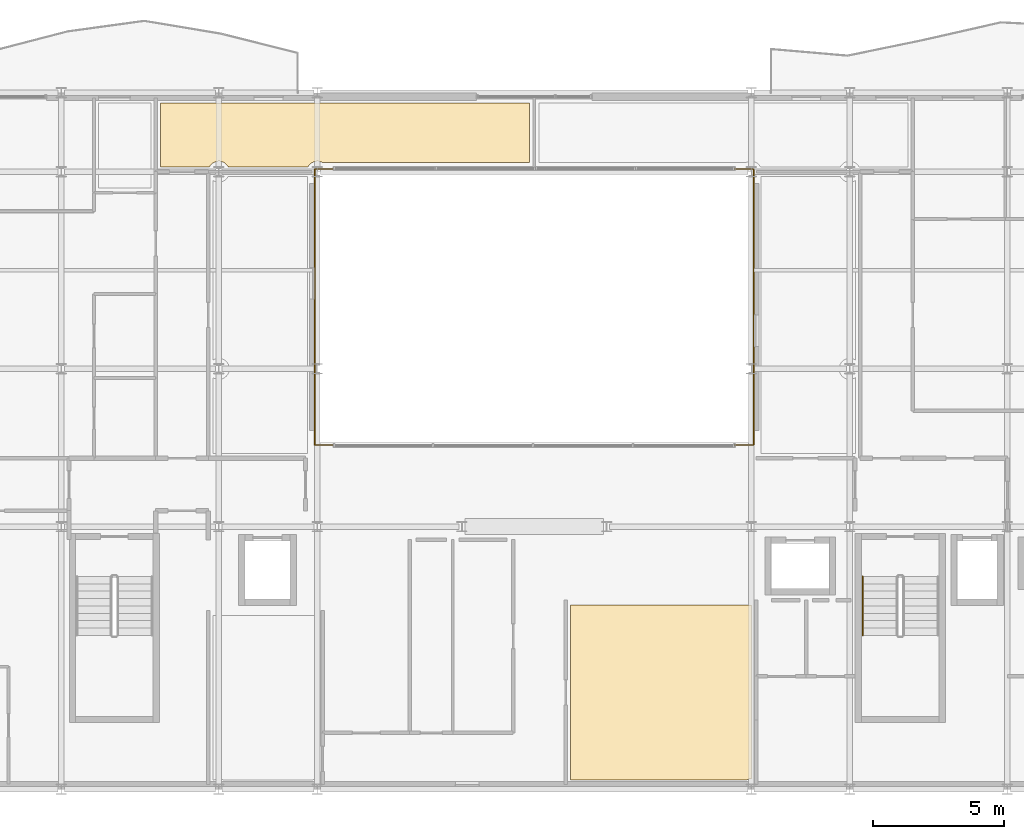
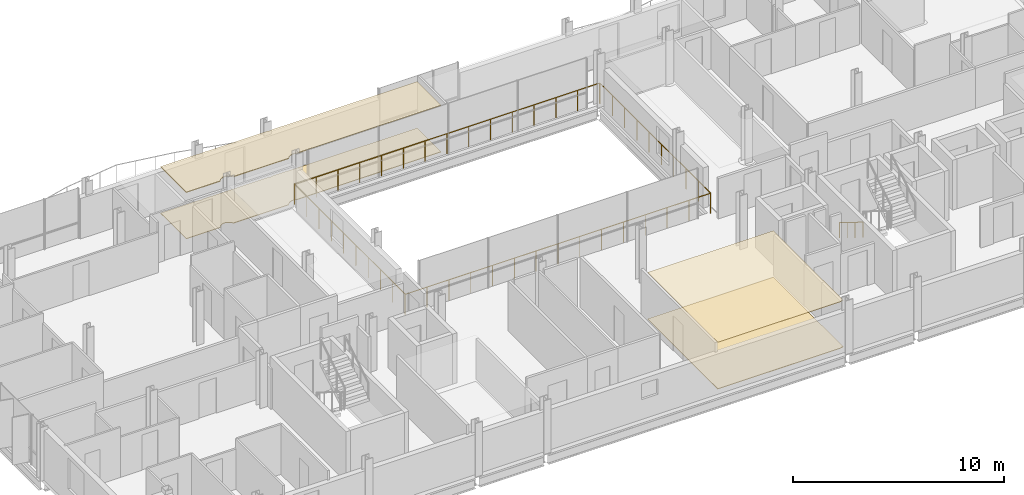
# One storey, part 36 of 38: 4 coverings, 3 railings.
"""IFC4 building model written with IfcOpenShell, lengths in metres."""

import ifcopenshell
import ifcopenshell.guid

model = None  # the IFC model being written
_history = None  # IfcOwnerHistory: only IFC2X3 demands one
_inside = {}  # id of a spatial element -> (the spatial element, [elements in it])
_under = {}  # id of a project, library or spatial element -> (it, [spatial elements below it])
_declared = {}  # id of a project -> (the project, [libraries it declares])
_typed = {}  # id of a type object -> (the type object, [elements of that type])
_made_of = {}  # id of a material, layer set ... -> (it, [elements and type objects made of it])


def new_model(schema):
    """Start an empty IFC model of exactly this schema.

    Asked for "IFC4X3", IfcOpenShell would pick the latest addendum, in which some entities
    have other attributes; the version numbers below select the first issue.
    IFC2X3 requires an IfcOwnerHistory on every rooted entity: one is made here for all.
    """
    global model, _history
    if schema == "IFC4X3":
        model = ifcopenshell.file(schema_version=(4, 3, 0, 0))
    else:
        model = ifcopenshell.file(schema=schema)
    _inside.clear()
    _under.clear()
    _declared.clear()
    _typed.clear()
    _made_of.clear()
    _history = None
    if model.schema == "IFC2X3":
        org = make("IfcOrganization", Name="unknown")
        user = make(
            "IfcPersonAndOrganization",
            ThePerson=make("IfcPerson", FamilyName="unknown"),
            TheOrganization=org,
        )
        app = make(
            "IfcApplication",
            ApplicationDeveloper=org,
            Version="unknown",
            ApplicationFullName="unknown",
            ApplicationIdentifier="unknown",
        )
        _history = make(
            "IfcOwnerHistory",
            OwningUser=user,
            OwningApplication=app,
            ChangeAction="ADDED",
            CreationDate=0,
        )
    return model


def make(cls, **values):
    """One entity of the class cls with the attributes given. An attribute that is None is left unset."""
    return model.create_entity(
        cls, **{name: value for name, value in values.items() if value is not None}
    )


def rooted(cls, **values):
    """An entity with a GlobalId (a new one), such as an element, a storey or a relation."""
    return make(cls, GlobalId=ifcopenshell.guid.new(), OwnerHistory=_history, **values)


def si_unit(unit_type, name, prefix=None):
    """IfcSIUnit, for example si_unit("LENGTHUNIT", "METRE", prefix="MILLI")."""
    return make("IfcSIUnit", UnitType=unit_type, Prefix=prefix, Name=name)


def assignment(units):
    """IfcUnitAssignment: the units of a project."""
    return None if units is None else make("IfcUnitAssignment", Units=units)


def point(xyz):
    """IfcCartesianPoint."""
    return None if xyz is None else make("IfcCartesianPoint", Coordinates=xyz)


def direction(xyz):
    """IfcDirection."""
    return None if xyz is None else make("IfcDirection", DirectionRatios=xyz)


def frame(location, z_axis=None, x_axis=None):
    """IfcAxis2Placement3D, a coordinate frame: its origin and axes. An axis left out is left unset."""
    return make(
        "IfcAxis2Placement3D",
        Location=point(location),
        Axis=direction(z_axis),
        RefDirection=direction(x_axis),
    )


def frame_2d(location, x_axis=None):
    """IfcAxis2Placement2D, a coordinate frame in the plane: its origin and x axis."""
    return make(
        "IfcAxis2Placement2D", Location=point(location), RefDirection=direction(x_axis)
    )


def origin():
    """The frame at (0, 0, 0) with its axes left unset."""
    return frame((0.0, 0.0, 0.0))


def origin_2d():
    """The frame at (0, 0) in the plane with its x axis left unset."""
    return frame_2d((0.0, 0.0))


def place(relative_to, where):
    """IfcLocalPlacement: puts the frame where relative to a parent placement (None: the world)."""
    return make(
        "IfcLocalPlacement", PlacementRelTo=relative_to, RelativePlacement=where
    )


def context(
    kind, dimensions, precision=None, world=None, true_north=None, identifier=None
):
    """IfcGeometricRepresentationContext, for example the 3D "Model" context."""
    return make(
        "IfcGeometricRepresentationContext",
        ContextIdentifier=identifier,
        ContextType=kind,
        CoordinateSpaceDimension=dimensions,
        Precision=precision,
        WorldCoordinateSystem=world,
        TrueNorth=true_north,
    )


def subcontext(parent, identifier, kind, view, scale=None):
    """IfcGeometricRepresentationSubContext, for example "Body" below "Model"."""
    return make(
        "IfcGeometricRepresentationSubContext",
        ContextIdentifier=identifier,
        ContextType=kind,
        ParentContext=parent,
        TargetScale=scale,
        TargetView=view,
    )


def project(units=None, contexts=None):
    """IfcProject with its units and contexts."""
    return rooted(
        "IfcProject",
        Name="project",
        RepresentationContexts=contexts,
        UnitsInContext=assignment(units),
    )


def spatial(cls, under=None, at=None, **own):
    """A site, building, storey or space (cls), placed at a placement, below another one or the project."""
    s = rooted(cls, ObjectPlacement=at, **own)
    if under is not None:
        _under.setdefault(under.id(), (under, []))[1].append(s)
    return s


def polyline(points):
    """IfcPolyline through the points."""
    return make("IfcPolyline", Points=[point(p) for p in points])


def profile(cls, at=None, kind="AREA", **sizes):
    """A parametric profile (cls). Its sizes go by their IFC names, for example OverallWidth=200.0."""
    return make(cls, ProfileType=kind, Position=at, **sizes)


def circle(**sizes):
    """IfcCircleProfileDef."""
    return profile("IfcCircleProfileDef", **sizes)


def outline(outer, holes=None, kind="AREA"):
    """IfcArbitraryClosedProfileDef: a profile drawn as a closed curve; with holes, ...WithVoids."""
    if holes is None:
        return make("IfcArbitraryClosedProfileDef", ProfileType=kind, OuterCurve=outer)
    return make(
        "IfcArbitraryProfileDefWithVoids",
        ProfileType=kind,
        OuterCurve=outer,
        InnerCurves=holes,
    )


def extrude(swept, where, along, depth):
    """IfcExtrudedAreaSolid: the profile swept, set in the frame where, extruded along a direction by depth."""
    return make(
        "IfcExtrudedAreaSolid",
        SweptArea=swept,
        Position=where,
        ExtrudedDirection=direction(along),
        Depth=depth,
    )


def shape(context_of_items, identifier, shape_type, items):
    """IfcShapeRepresentation: the items that make up one representation, for example the "Body"."""
    return make(
        "IfcShapeRepresentation",
        ContextOfItems=context_of_items,
        RepresentationIdentifier=identifier,
        RepresentationType=shape_type,
        Items=items,
    )


def material(Name=None, Category=None):
    """IfcMaterial."""
    return make("IfcMaterial", Name=Name, Category=Category)


def layer(
    of_material, thickness, ventilated=None, Name=None, Category=None, Priority=None
):
    """IfcMaterialLayer: one layer of a wall or slab, of a material (None: an air gap)."""
    return make(
        "IfcMaterialLayer",
        Material=of_material,
        LayerThickness=thickness,
        IsVentilated=ventilated,
        Name=Name,
        Category=Category,
        Priority=Priority,
    )


def layer_set(layers, Name=None):
    """IfcMaterialLayerSet."""
    return make("IfcMaterialLayerSet", MaterialLayers=layers, LayerSetName=Name)


def made_of(thing, what):
    """Note that an element or type object is made of a material, layer set ...; save() writes the relation."""
    if what is not None:
        _made_of.setdefault(what.id(), (what, []))[1].append(thing)
    return thing


def type_object(cls, material=None, **own):
    """A type object (cls), such as IfcWallType, which elements share."""
    return made_of(rooted(cls, **own), material)


def element(
    cls,
    number,
    at=None,
    inside=None,
    cuts=None,
    type_object=None,
    material=None,
    context=None,
    identifier="Body",
    shape_type=None,
    held_by="IfcProductDefinitionShape",
    body=None,
    shapes=None,
    **own,
):
    """One element of the class cls, such as IfcWall. Its Tag is "e" and its number.

    at: its placement. inside: the storey or other place that contains it. cuts: it is an
    opening in that element (IfcRelVoidsElement). A single representation is given by context,
    identifier, shape_type and body (its items); several are given by shapes. held_by: the class
    of the entity that holds the representations. save() writes the other relations.
    """
    e = rooted(cls, Tag="e%d" % number, ObjectPlacement=at, **own)
    if body is not None:
        shapes = [shape(context, identifier, shape_type, body)]
    if shapes is not None:
        e.Representation = make(held_by, Representations=shapes)
    if inside is not None:
        _inside.setdefault(inside.id(), (inside, []))[1].append(e)
    if cuts is not None:
        rooted(
            "IfcRelVoidsElement", RelatingBuildingElement=cuts, RelatedOpeningElement=e
        )
    if type_object is not None:
        _typed.setdefault(type_object.id(), (type_object, []))[1].append(e)
    return made_of(e, material)


def aggregate(whole, parts):
    """IfcRelAggregates: a whole, such as a stair, and the parts it consists of."""
    return rooted("IfcRelAggregates", RelatingObject=whole, RelatedObjects=parts)


def save(model, path):
    """Write the relations noted so far, then the file.

    IfcRelAggregates (storeys below a building ...), IfcRelContainedInSpatialStructure (elements
    in a storey), IfcRelDefinesByType, IfcRelAssociatesMaterial and IfcRelDeclares: one each for
    every whole, place, type object, material and project.
    """
    for whole, parts in _under.values():
        aggregate(whole, parts)
    for where, things in _inside.values():
        rooted(
            "IfcRelContainedInSpatialStructure",
            RelatedElements=things,
            RelatingStructure=where,
        )
    for kind, things in _typed.values():
        rooted("IfcRelDefinesByType", RelatedObjects=things, RelatingType=kind)
    for what, things in _made_of.values():
        rooted("IfcRelAssociatesMaterial", RelatedObjects=things, RelatingMaterial=what)
    for by, libraries in _declared.values():
        rooted("IfcRelDeclares", RelatingContext=by, RelatedDefinitions=libraries)
    model.write(path)


model = new_model("IFC4")

# Units and contexts
model_context = context("Model", 3, precision=1e-05, world=origin(), true_north=direction((0.0, 1.0)))
body_context = subcontext(model_context, "Body", "Model", "MODEL_VIEW")
ifc_project = project(units=[si_unit("LENGTHUNIT", "METRE"), si_unit("AREAUNIT", "SQUARE_METRE"), si_unit("VOLUMEUNIT", "CUBIC_METRE"), si_unit("PLANEANGLEUNIT", "RADIAN"), si_unit("MASSUNIT", "GRAM", prefix="KILO")], contexts=[model_context])

# Site, building, storey
site_placement = place(None, origin())
site = spatial("IfcSite", under=ifc_project, at=site_placement, CompositionType="ELEMENT")
building_placement = place(site_placement, origin())
building = spatial("IfcBuilding", under=site, at=building_placement, Name="Brevholm Reach", CompositionType="ELEMENT")
storey_placement = place(building_placement, frame((0.0, 0.0, 186.300048828125)))
storey = spatial("IfcBuildingStorey", under=building, at=storey_placement, Name="L56", CompositionType="ELEMENT", Elevation=186.300048828125)

# Coverings
ifc_material_1 = material(Name="Perforated Mineral-Fibre Class-A Acoustic Suspended Ceiling", Category="gypsum")
ifc_layer_1 = layer(ifc_material_1, 0.044921875)
ifc_layer_set_1 = layer_set([ifc_layer_1], Name="Perforated Mineral-Fibre Class-A Acoustic Suspended Ceiling")
covering_type_1 = type_object("IfcCoveringType", Name="COV-CLG-AC", PredefinedType="CEILING", material=ifc_layer_set_1)
covering_1_placement = place(storey_placement, frame((0.0, 0.0, 2.675048828125)))
element("IfcCovering", 1, at=covering_1_placement, inside=storey, type_object=covering_type_1, Name="L56 Suspended Ceiling L56-58", PredefinedType="CEILING", context=body_context, shape_type="SweptSolid", body=[
    extrude(outline(polyline([(17.876220703125, 26.1201171875), (17.8837890625, 26.1171875), (17.922119140625, 26.107666015625), (17.960693359375, 26.101806640625), (18.0, 26.10009765625), (18.039306640625, 26.101806640625), (18.077880859375, 26.107666015625), (18.1162109375, 26.1171875), (18.123779296875, 26.1201171875), (21.626220703125, 26.1201171875), (21.6337890625, 26.1171875), (21.672119140625, 26.107666015625), (21.710693359375, 26.101806640625), (21.75, 26.10009765625), (21.789306640625, 26.101806640625), (21.827880859375, 26.107666015625), (21.8662109375, 26.1171875), (21.873779296875, 26.1201171875), (29.820068359375, 26.1201171875), (29.820068359375, 23.860107421875), (21.92333984375, 23.860107421875), (21.903076171875, 23.86962890625), (21.8662109375, 23.8828125), (21.827880859375, 23.892333984375), (21.789306640625, 23.898193359375), (21.75, 23.89990234375), (21.710693359375, 23.898193359375), (21.672119140625, 23.892333984375), (21.6337890625, 23.8828125), (21.596923828125, 23.86962890625), (21.561279296875, 23.852783203125), (21.52783203125, 23.83251953125), (21.49609375, 23.80908203125), (21.46728515625, 23.78271484375), (21.44091796875, 23.75390625), (21.41748046875, 23.72216796875), (21.397216796875, 23.688720703125), (21.39501953125, 23.68408203125), (18.35498046875, 23.68408203125), (18.352783203125, 23.688720703125), (18.33251953125, 23.72216796875), (18.30908203125, 23.75390625), (18.28271484375, 23.78271484375), (18.25390625, 23.80908203125), (18.22216796875, 23.83251953125), (18.188720703125, 23.852783203125), (18.153076171875, 23.86962890625), (18.1162109375, 23.8828125), (18.077880859375, 23.892333984375), (18.039306640625, 23.898193359375), (18.0, 23.89990234375), (17.960693359375, 23.898193359375), (17.922119140625, 23.892333984375), (17.8837890625, 23.8828125), (17.846923828125, 23.86962890625), (17.811279296875, 23.852783203125), (17.77783203125, 23.83251953125), (17.74609375, 23.80908203125), (17.71728515625, 23.78271484375), (17.69091796875, 23.75390625), (17.66748046875, 23.72216796875), (17.647216796875, 23.688720703125), (17.64501953125, 23.68408203125), (15.783935546875, 23.68408203125), (15.783935546875, 26.1201171875), (17.876220703125, 26.1201171875)])), origin(), (0.0, 0.0, 1.0), 0.044921875),
])
ifc_material_2 = material(Name="Moisture-Resistant Skimmed Gypsum Plasterboard Ceiling", Category="gypsum")
ifc_layer_2 = layer(ifc_material_2, 0.030029296875)
ifc_layer_set_2 = layer_set([ifc_layer_2], Name="Moisture-Resistant Skimmed Gypsum Plasterboard Ceiling")
covering_type_2 = type_object("IfcCoveringType", Name="COV-CLG-GYP", PredefinedType="CEILING", material=ifc_layer_set_2)
covering_2_placement = place(storey_placement, frame((0.0, 0.0, 2.68994140625)))
element("IfcCovering", 2, at=covering_2_placement, inside=storey, type_object=covering_type_2, Name="L56 Suspended Ceiling L56-13", PredefinedType="CEILING", context=body_context, shape_type="SweptSolid", body=[
    extrude(outline(polyline([(38.27001953125, 7.02001953125), (38.27001953125, 0.39892578125), (38.25, 0.39990234375), (38.210693359375, 0.398193359375), (38.172119140625, 0.392333984375), (38.1337890625, 0.3828125), (38.096923828125, 0.36962890625), (38.07666015625, 0.360107421875), (31.384033203125, 0.360107421875), (31.384033203125, 7.02001953125), (38.27001953125, 7.02001953125)])), origin(), (0.0, 0.0, 1.0), 0.030029296875),
])
ifc_material_3 = material(Name="Honed Portland-Aggregate Resin Terrazzo Flooring", Category="concrete")
ifc_layer_3 = layer(ifc_material_3, 0.031982421875)
ifc_layer_set_3 = layer_set([ifc_layer_3], Name="Honed Portland-Aggregate Resin Terrazzo Flooring")
covering_type_3 = type_object("IfcCoveringType", Name="COV-FLR-TRZ", PredefinedType="FLOORING", material=ifc_layer_set_3)
covering_3_placement = place(storey_placement, origin())
element("IfcCovering", 3, at=covering_3_placement, inside=storey, type_object=covering_type_3, Name="L56 Floor Finish L56-13", PredefinedType="FLOORING", context=body_context, shape_type="SweptSolid", body=[
    extrude(outline(polyline([(38.27001953125, 7.02001953125), (38.27001953125, 0.39892578125), (38.25, 0.39990234375), (38.210693359375, 0.398193359375), (38.172119140625, 0.392333984375), (38.1337890625, 0.3828125), (38.096923828125, 0.36962890625), (38.07666015625, 0.360107421875), (31.384033203125, 0.360107421875), (31.384033203125, 7.02001953125), (38.27001953125, 7.02001953125)])), origin(), (0.0, 0.0, 1.0), 0.031982421875),
])
covering_4_placement = place(storey_placement, origin())
element("IfcCovering", 4, at=covering_4_placement, inside=storey, type_object=covering_type_3, Name="L56 Floor Finish L56-58", PredefinedType="FLOORING", context=body_context, shape_type="SweptSolid", body=[
    extrude(outline(polyline([(17.876220703125, 26.1201171875), (17.8837890625, 26.1171875), (17.922119140625, 26.107666015625), (17.960693359375, 26.101806640625), (18.0, 26.10009765625), (18.039306640625, 26.101806640625), (18.077880859375, 26.107666015625), (18.1162109375, 26.1171875), (18.123779296875, 26.1201171875), (21.626220703125, 26.1201171875), (21.6337890625, 26.1171875), (21.672119140625, 26.107666015625), (21.710693359375, 26.101806640625), (21.75, 26.10009765625), (21.789306640625, 26.101806640625), (21.827880859375, 26.107666015625), (21.8662109375, 26.1171875), (21.873779296875, 26.1201171875), (29.820068359375, 26.1201171875), (29.820068359375, 23.860107421875), (21.92333984375, 23.860107421875), (21.903076171875, 23.86962890625), (21.8662109375, 23.8828125), (21.827880859375, 23.892333984375), (21.789306640625, 23.898193359375), (21.75, 23.89990234375), (21.710693359375, 23.898193359375), (21.672119140625, 23.892333984375), (21.6337890625, 23.8828125), (21.596923828125, 23.86962890625), (21.561279296875, 23.852783203125), (21.52783203125, 23.83251953125), (21.49609375, 23.80908203125), (21.46728515625, 23.78271484375), (21.44091796875, 23.75390625), (21.41748046875, 23.72216796875), (21.397216796875, 23.688720703125), (21.39501953125, 23.68408203125), (18.35498046875, 23.68408203125), (18.352783203125, 23.688720703125), (18.33251953125, 23.72216796875), (18.30908203125, 23.75390625), (18.28271484375, 23.78271484375), (18.25390625, 23.80908203125), (18.22216796875, 23.83251953125), (18.188720703125, 23.852783203125), (18.153076171875, 23.86962890625), (18.1162109375, 23.8828125), (18.077880859375, 23.892333984375), (18.039306640625, 23.898193359375), (18.0, 23.89990234375), (17.960693359375, 23.898193359375), (17.922119140625, 23.892333984375), (17.8837890625, 23.8828125), (17.846923828125, 23.86962890625), (17.811279296875, 23.852783203125), (17.77783203125, 23.83251953125), (17.74609375, 23.80908203125), (17.71728515625, 23.78271484375), (17.69091796875, 23.75390625), (17.66748046875, 23.72216796875), (17.647216796875, 23.688720703125), (17.64501953125, 23.68408203125), (15.783935546875, 23.68408203125), (15.783935546875, 26.1201171875), (17.876220703125, 26.1201171875)])), origin(), (0.0, 0.0, 1.0), 0.031982421875),
])

# Railings
ifc_material_4 = material(Name="Brushed Stainless Steel EN 1.4401 Continuous Handrail", Category="steel")
railing_type_1 = type_object("IfcRailingType", Name="RAL-HND-950", PredefinedType="HANDRAIL", material=ifc_material_4)
railing_1_placement = place(storey_placement, frame((42.5, 8.10009765625, 0.172119140625)))
element("IfcRailing", 5, at=railing_1_placement, inside=storey, type_object=railing_type_1, Name="L56 ST-2 stair handrail 1", PredefinedType="HANDRAIL", context=body_context, shape_type="SweptSolid", body=[
    extrude(circle(Radius=0.02392578125, at=origin_2d()), frame((0.0, 0.0, 0.8857421875), z_axis=(0.0, -0.851747552033, 0.523952390591), x_axis=(1.0, 0.0, 0.0)), (0.0, 0.0, 1.0), 2.6298828125),
    extrude(circle(Radius=0.02099609375, at=origin_2d()), origin(), (0.0, 0.0, 1.0), 0.86181640625),
    extrude(circle(Radius=0.02099609375, at=origin_2d()), frame((0.0, -0.74658203125, 0.459228515625)), (0.0, 0.0, 1.0), 0.86181640625),
    extrude(circle(Radius=0.02099609375, at=origin_2d()), frame((0.0, -1.493408203125, 0.918701171875)), (0.0, 0.0, 1.0), 0.86181640625),
    extrude(circle(Radius=0.02099609375, at=origin_2d()), frame((0.0, -2.239990234375, 1.3779296875)), (0.0, 0.0, 1.0), 0.86181640625),
])
ifc_material_5 = material(Name="Brushed Stainless Steel EN 1.4401 and Laminated Glass", Category="steel")
railing_type_2 = type_object("IfcRailingType", Name="RAL-TERR-1200", PredefinedType="BALUSTRADE", material=ifc_material_5)
railing_2_placement = place(storey_placement, frame((21.64990234375, 13.10009765625, 0.0)))
element("IfcRailing", 6, at=railing_2_placement, inside=storey, type_object=railing_type_2, Name="L56 Guard Balustrade RAL-L56-AT-VOID-SW", PredefinedType="BALUSTRADE", context=body_context, shape_type="SweptSolid", body=[
    extrude(circle(Radius=0.02392578125, at=origin_2d()), frame((0.0, 0.0, 1.17578125), z_axis=(1.0, 0.0, 0.0), x_axis=(0.0, 1.0, 0.0)), (0.0, 0.0, 1.0), 16.7001953125),
    extrude(circle(Radius=0.02392578125, at=origin_2d()), frame((16.7001953125, 0.0, 1.17578125), z_axis=(0.0, 1.0, 0.0), x_axis=(-1.0, 0.0, 0.0)), (0.0, 0.0, 1.0), 10.47998046875),
    extrude(circle(Radius=0.02099609375, at=origin_2d()), origin(), (0.0, 0.0, 1.0), 1.15185546875),
    extrude(circle(Radius=0.02099609375, at=origin_2d()), frame((1.19287109375, 0.0, 0.0)), (0.0, 0.0, 1.0), 1.15185546875),
    extrude(circle(Radius=0.02099609375, at=origin_2d()), frame((2.3857421875, 0.0, 0.0)), (0.0, 0.0, 1.0), 1.15185546875),
    extrude(circle(Radius=0.02099609375, at=origin_2d()), frame((3.57861328125, 0.0, 0.0)), (0.0, 0.0, 1.0), 1.15185546875),
    extrude(circle(Radius=0.02099609375, at=origin_2d()), frame((4.771484375, 0.0, 0.0)), (0.0, 0.0, 1.0), 1.15185546875),
    extrude(circle(Radius=0.02099609375, at=origin_2d()), frame((5.96435546875, 0.0, 0.0)), (0.0, 0.0, 1.0), 1.15185546875),
    extrude(circle(Radius=0.02099609375, at=origin_2d()), frame((7.1572265625, 0.0, 0.0)), (0.0, 0.0, 1.0), 1.15185546875),
    extrude(circle(Radius=0.02099609375, at=origin_2d()), frame((8.35009765625, 0.0, 0.0)), (0.0, 0.0, 1.0), 1.15185546875),
    extrude(circle(Radius=0.02099609375, at=origin_2d()), frame((9.54296875, 0.0, 0.0)), (0.0, 0.0, 1.0), 1.15185546875),
    extrude(circle(Radius=0.02099609375, at=origin_2d()), frame((10.73583984375, 0.0, 0.0)), (0.0, 0.0, 1.0), 1.15185546875),
    extrude(circle(Radius=0.02099609375, at=origin_2d()), frame((11.9287109375, 0.0, 0.0)), (0.0, 0.0, 1.0), 1.15185546875),
    extrude(circle(Radius=0.02099609375, at=origin_2d()), frame((13.12158203125, 0.0, 0.0)), (0.0, 0.0, 1.0), 1.15185546875),
    extrude(circle(Radius=0.02099609375, at=origin_2d()), frame((14.314453125, 0.0, 0.0)), (0.0, 0.0, 1.0), 1.15185546875),
    extrude(circle(Radius=0.02099609375, at=origin_2d()), frame((15.50732421875, 0.0, 0.0)), (0.0, 0.0, 1.0), 1.15185546875),
    extrude(circle(Radius=0.02099609375, at=origin_2d()), frame((16.7001953125, 0.0, 0.0)), (0.0, 0.0, 1.0), 1.15185546875),
    extrude(circle(Radius=0.02099609375, at=origin_2d()), frame((16.7001953125, 1.16455078125, 0.0)), (0.0, 0.0, 1.0), 1.15185546875),
    extrude(circle(Radius=0.02099609375, at=origin_2d()), frame((16.7001953125, 2.328857421875, 0.0)), (0.0, 0.0, 1.0), 1.15185546875),
    extrude(circle(Radius=0.02099609375, at=origin_2d()), frame((16.7001953125, 3.493408203125, 0.0)), (0.0, 0.0, 1.0), 1.15185546875),
    extrude(circle(Radius=0.02099609375, at=origin_2d()), frame((16.7001953125, 4.65771484375, 0.0)), (0.0, 0.0, 1.0), 1.15185546875),
    extrude(circle(Radius=0.02099609375, at=origin_2d()), frame((16.7001953125, 5.822265625, 0.0)), (0.0, 0.0, 1.0), 1.15185546875),
    extrude(circle(Radius=0.02099609375, at=origin_2d()), frame((16.7001953125, 6.986572265625, 0.0)), (0.0, 0.0, 1.0), 1.15185546875),
    extrude(circle(Radius=0.02099609375, at=origin_2d()), frame((16.7001953125, 8.151123046875, 0.0)), (0.0, 0.0, 1.0), 1.15185546875),
    extrude(circle(Radius=0.02099609375, at=origin_2d()), frame((16.7001953125, 9.3154296875, 0.0)), (0.0, 0.0, 1.0), 1.15185546875),
    extrude(circle(Radius=0.02099609375, at=origin_2d()), frame((16.7001953125, 10.47998046875, 0.0)), (0.0, 0.0, 1.0), 1.15185546875),
])
railing_3_placement = place(storey_placement, frame((38.330078125, 23.60009765625, 0.0)))
element("IfcRailing", 7, at=railing_3_placement, inside=storey, type_object=railing_type_2, Name="L56 Guard Balustrade RAL-L56-AT-VOID-NE", PredefinedType="BALUSTRADE", context=body_context, shape_type="SweptSolid", body=[
    extrude(circle(Radius=0.02392578125, at=origin_2d()), frame((0.0, 0.0, 1.17578125), z_axis=(-1.0, 0.0, 0.0), x_axis=(0.0, -1.0, 0.0)), (0.0, 0.0, 1.0), 16.68017578125),
    extrude(circle(Radius=0.02392578125, at=origin_2d()), frame((-16.68017578125, 0.0, 1.17578125), z_axis=(0.0, -1.0, 0.0), x_axis=(1.0, 0.0, 0.0)), (0.0, 0.0, 1.0), 10.47998046875),
    extrude(circle(Radius=0.02099609375, at=origin_2d()), origin(), (0.0, 0.0, 1.0), 1.15185546875),
    extrude(circle(Radius=0.02099609375, at=origin_2d()), frame((-1.19140625, 0.0, 0.0)), (0.0, 0.0, 1.0), 1.15185546875),
    extrude(circle(Radius=0.02099609375, at=origin_2d()), frame((-2.3828125, 0.0, 0.0)), (0.0, 0.0, 1.0), 1.15185546875),
    extrude(circle(Radius=0.02099609375, at=origin_2d()), frame((-3.57421875, 0.0, 0.0)), (0.0, 0.0, 1.0), 1.15185546875),
    extrude(circle(Radius=0.02099609375, at=origin_2d()), frame((-4.765869140625, 0.0, 0.0)), (0.0, 0.0, 1.0), 1.15185546875),
    extrude(circle(Radius=0.02099609375, at=origin_2d()), frame((-5.957275390625, 0.0, 0.0)), (0.0, 0.0, 1.0), 1.15185546875),
    extrude(circle(Radius=0.02099609375, at=origin_2d()), frame((-7.148681640625, 0.0, 0.0)), (0.0, 0.0, 1.0), 1.15185546875),
    extrude(circle(Radius=0.02099609375, at=origin_2d()), frame((-8.340087890625, 0.0, 0.0)), (0.0, 0.0, 1.0), 1.15185546875),
    extrude(circle(Radius=0.02099609375, at=origin_2d()), frame((-9.531494140625, 0.0, 0.0)), (0.0, 0.0, 1.0), 1.15185546875),
    extrude(circle(Radius=0.02099609375, at=origin_2d()), frame((-10.722900390625, 0.0, 0.0)), (0.0, 0.0, 1.0), 1.15185546875),
    extrude(circle(Radius=0.02099609375, at=origin_2d()), frame((-11.914306640625, 0.0, 0.0)), (0.0, 0.0, 1.0), 1.15185546875),
    extrude(circle(Radius=0.02099609375, at=origin_2d()), frame((-13.10595703125, 0.0, 0.0)), (0.0, 0.0, 1.0), 1.15185546875),
    extrude(circle(Radius=0.02099609375, at=origin_2d()), frame((-14.29736328125, 0.0, 0.0)), (0.0, 0.0, 1.0), 1.15185546875),
    extrude(circle(Radius=0.02099609375, at=origin_2d()), frame((-15.48876953125, 0.0, 0.0)), (0.0, 0.0, 1.0), 1.15185546875),
    extrude(circle(Radius=0.02099609375, at=origin_2d()), frame((-16.68017578125, 0.0, 0.0)), (0.0, 0.0, 1.0), 1.15185546875),
    extrude(circle(Radius=0.02099609375, at=origin_2d()), frame((-16.68017578125, -1.16455078125, 0.0)), (0.0, 0.0, 1.0), 1.15185546875),
    extrude(circle(Radius=0.02099609375, at=origin_2d()), frame((-16.68017578125, -2.328857421875, 0.0)), (0.0, 0.0, 1.0), 1.15185546875),
    extrude(circle(Radius=0.02099609375, at=origin_2d()), frame((-16.68017578125, -3.493408203125, 0.0)), (0.0, 0.0, 1.0), 1.15185546875),
    extrude(circle(Radius=0.02099609375, at=origin_2d()), frame((-16.68017578125, -4.65771484375, 0.0)), (0.0, 0.0, 1.0), 1.15185546875),
    extrude(circle(Radius=0.02099609375, at=origin_2d()), frame((-16.68017578125, -5.822265625, 0.0)), (0.0, 0.0, 1.0), 1.15185546875),
    extrude(circle(Radius=0.02099609375, at=origin_2d()), frame((-16.68017578125, -6.986572265625, 0.0)), (0.0, 0.0, 1.0), 1.15185546875),
    extrude(circle(Radius=0.02099609375, at=origin_2d()), frame((-16.68017578125, -8.151123046875, 0.0)), (0.0, 0.0, 1.0), 1.15185546875),
    extrude(circle(Radius=0.02099609375, at=origin_2d()), frame((-16.68017578125, -9.3154296875, 0.0)), (0.0, 0.0, 1.0), 1.15185546875),
    extrude(circle(Radius=0.02099609375, at=origin_2d()), frame((-16.68017578125, -10.47998046875, 0.0)), (0.0, 0.0, 1.0), 1.15185546875),
])

save(model, "model.ifc")
